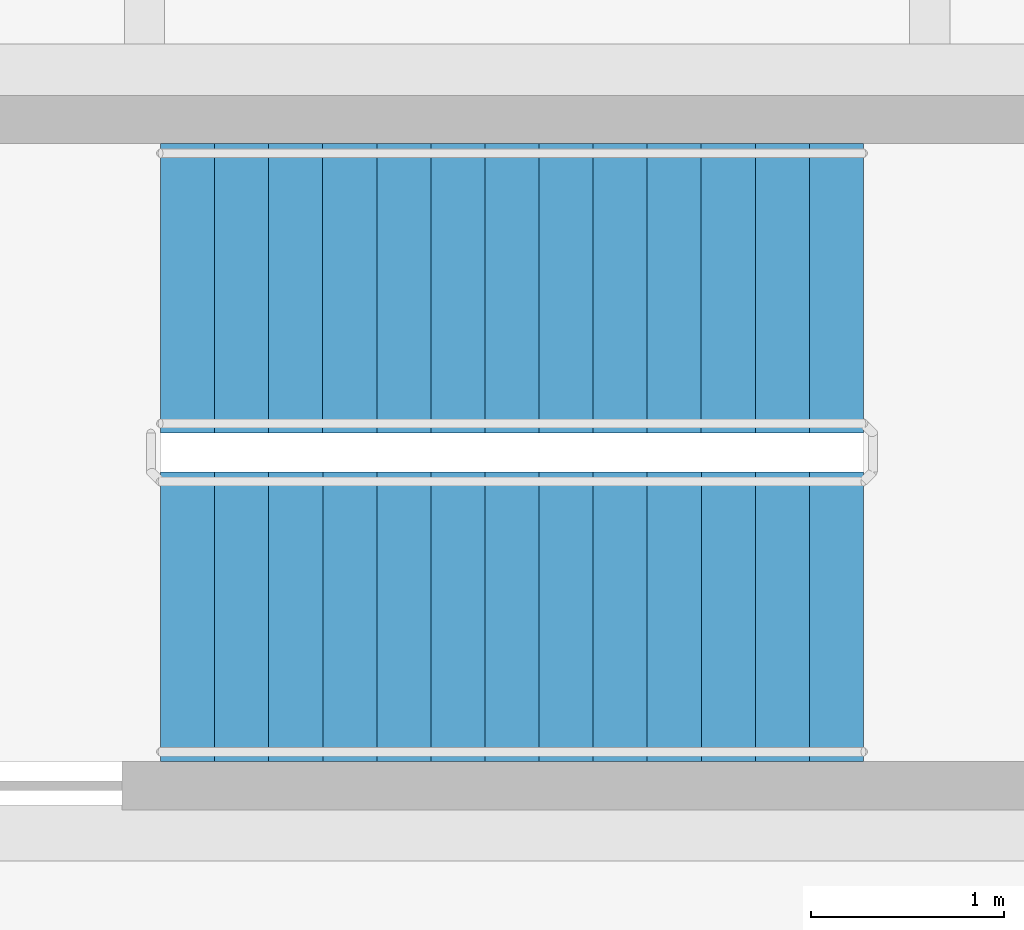
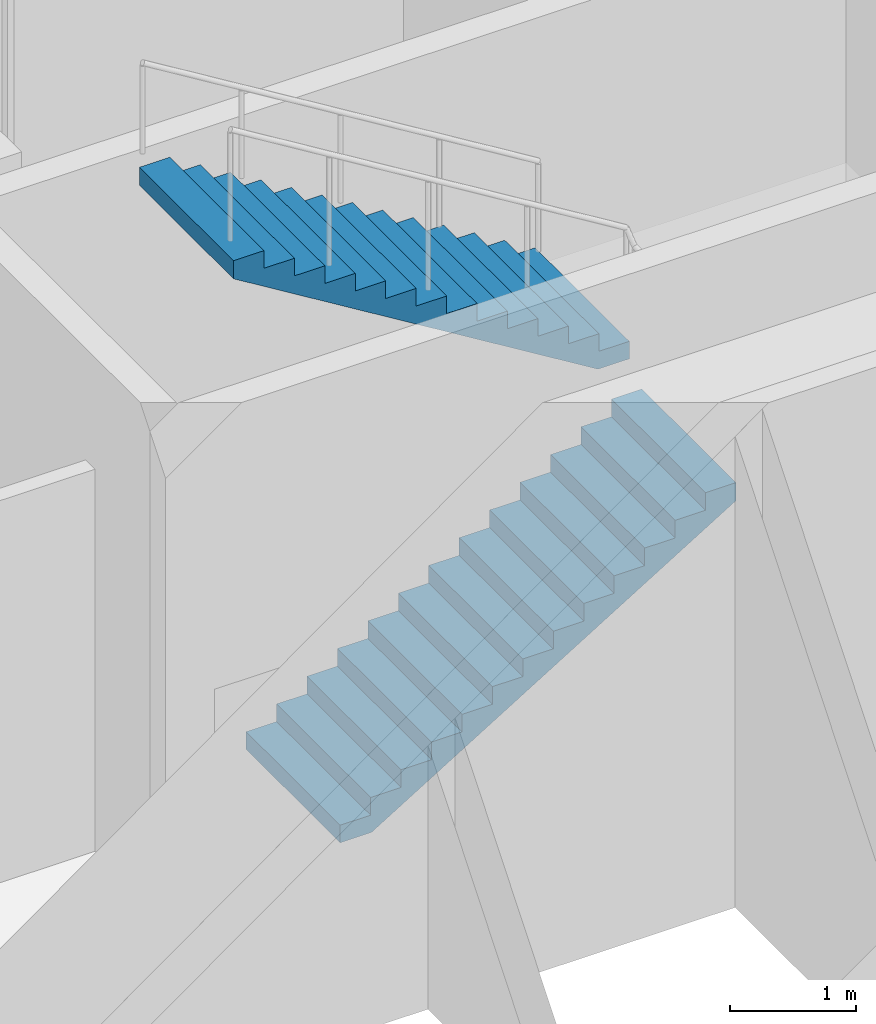
# One storey, part 31 of 33: 2 stair flights, 1 element without a shape of its own.
"""IFC4 building model written with IfcOpenShell, lengths in metres."""

from ifc_helpers import new_model, si_unit, direction, frame, origin, place, context, subcontext, project, spatial, polyline, outline, extrude, material, type_object, element, aggregate, save


model = new_model("IFC4")

# Units and contexts
model_context = context("Model", 3, precision=1e-05, world=origin(), true_north=direction((0.0, 1.0)))
body_context = subcontext(model_context, "Body", "Model", "MODEL_VIEW")
ifc_project = project(units=[si_unit("LENGTHUNIT", "METRE"), si_unit("AREAUNIT", "SQUARE_METRE"), si_unit("VOLUMEUNIT", "CUBIC_METRE"), si_unit("PLANEANGLEUNIT", "RADIAN"), si_unit("MASSUNIT", "GRAM", prefix="KILO")], contexts=[model_context])

# Site, building, storey
site_placement = place(None, origin())
site = spatial("IfcSite", under=ifc_project, at=site_placement, CompositionType="ELEMENT")
building_placement = place(site_placement, origin())
building = spatial("IfcBuilding", under=site, at=building_placement, Name="Tessera Gate Towers", CompositionType="ELEMENT")
storey_placement = place(building_placement, frame((0.0, 0.0, 7.199951171875)))
storey = spatial("IfcBuildingStorey", under=building, at=storey_placement, Name="L01", CompositionType="ELEMENT", Elevation=7.199951171875)

# Stair, stair flights
ifc_material_1 = material(Name="Concrete C40/50", Category="concrete")
stair_type = type_object("IfcStairType", Name="EXIT STAIR ST7A 1500", PredefinedType="HALF_TURN_STAIR", material=ifc_material_1)
stair_placement = place(storey_placement, origin())
stair = element("IfcStair", 1, at=stair_placement, inside=storey, type_object=stair_type, Name="L01 North Exit Stair ST7", PredefinedType="HALF_TURN_STAIR")
ifc_material_2 = material(Name="Concrete C40/50", Category="concrete")
stair_flight_type = type_object("IfcStairFlightType", Name="EXIT STAIR FLIGHT ST7A 1500", PredefinedType="STRAIGHT", material=ifc_material_2)
stair_flight_1_placement = place(storey_placement, frame((101.75, 51.0, 0.0), z_axis=(0.0, 0.0, 1.0), x_axis=(1.0, 0.0, 0.0)))
stair_flight_1 = element("IfcStairFlight", 2, at=stair_flight_1_placement, type_object=stair_flight_type, Name="ST7 flight 1", NumberOfRisers=14, NumberOfTreads=13, PredefinedType="STRAIGHT", RiserHeight=0.171428571, TreadLength=0.28, context=body_context, shape_type="SweptSolid", body=[
    extrude(outline(polyline([(0.0, 0.0), (0.0, 0.17138671875), (0.280029296875, 0.17138671875), (0.280029296875, 0.3427734375), (0.56005859375, 0.3427734375), (0.56005859375, 0.514404296875), (0.840087890625, 0.514404296875), (0.840087890625, 0.685791015625), (1.1201171875, 0.685791015625), (1.1201171875, 0.857177734375), (1.39990234375, 0.857177734375), (1.39990234375, 1.028564453125), (1.679931640625, 1.028564453125), (1.679931640625, 1.199951171875), (1.9599609375, 1.199951171875), (1.9599609375, 1.371337890625), (2.239990234375, 1.371337890625), (2.239990234375, 1.54296875), (2.52001953125, 1.54296875), (2.52001953125, 1.71435546875), (2.800048828125, 1.71435546875), (2.800048828125, 1.8857421875), (3.080078125, 1.8857421875), (3.080078125, 2.05712890625), (3.360107421875, 2.05712890625), (3.360107421875, 2.228515625), (3.639892578125, 2.228515625), (3.639892578125, 2.39990234375), (3.639892578125, 2.052734375), (0.287109375, 0.0), (0.0, 0.0)])), frame((0.0, 0.75, 0.0), z_axis=(0.0, -1.0, 0.0), x_axis=(1.0, 0.0, 0.0)), (0.0, 0.0, 1.0), 1.5),
])
stair_flight_2_placement = place(storey_placement, frame((105.389892578125, 52.699951171875, 2.400146484375), z_axis=(0.0, 0.0, 1.0), x_axis=(-1.0, 0.0, 0.0)))
stair_flight_2 = element("IfcStairFlight", 3, at=stair_flight_2_placement, type_object=stair_flight_type, Name="ST7 flight 2", NumberOfRisers=14, NumberOfTreads=13, PredefinedType="STRAIGHT", RiserHeight=0.171428571, TreadLength=0.28, context=body_context, shape_type="SweptSolid", body=[
    extrude(outline(polyline([(0.0, 0.0), (0.0, 0.17138671875), (0.280029296875, 0.17138671875), (0.280029296875, 0.3427734375), (0.56005859375, 0.3427734375), (0.56005859375, 0.514404296875), (0.840087890625, 0.514404296875), (0.840087890625, 0.685791015625), (1.1201171875, 0.685791015625), (1.1201171875, 0.857177734375), (1.39990234375, 0.857177734375), (1.39990234375, 1.028564453125), (1.679931640625, 1.028564453125), (1.679931640625, 1.199951171875), (1.9599609375, 1.199951171875), (1.9599609375, 1.371337890625), (2.239990234375, 1.371337890625), (2.239990234375, 1.54296875), (2.52001953125, 1.54296875), (2.52001953125, 1.71435546875), (2.800048828125, 1.71435546875), (2.800048828125, 1.8857421875), (3.080078125, 1.8857421875), (3.080078125, 2.05712890625), (3.360107421875, 2.05712890625), (3.360107421875, 2.228515625), (3.639892578125, 2.228515625), (3.639892578125, 2.39990234375), (3.639892578125, 2.052734375), (0.287109375, 0.0), (0.0, 0.0)])), frame((0.0, 0.75, 0.0), z_axis=(0.0, -1.0, 0.0), x_axis=(1.0, 0.0, 0.0)), (0.0, 0.0, 1.0), 1.5),
])
aggregate(stair, [stair_flight_1, stair_flight_2])

save(model, "model.ifc")
